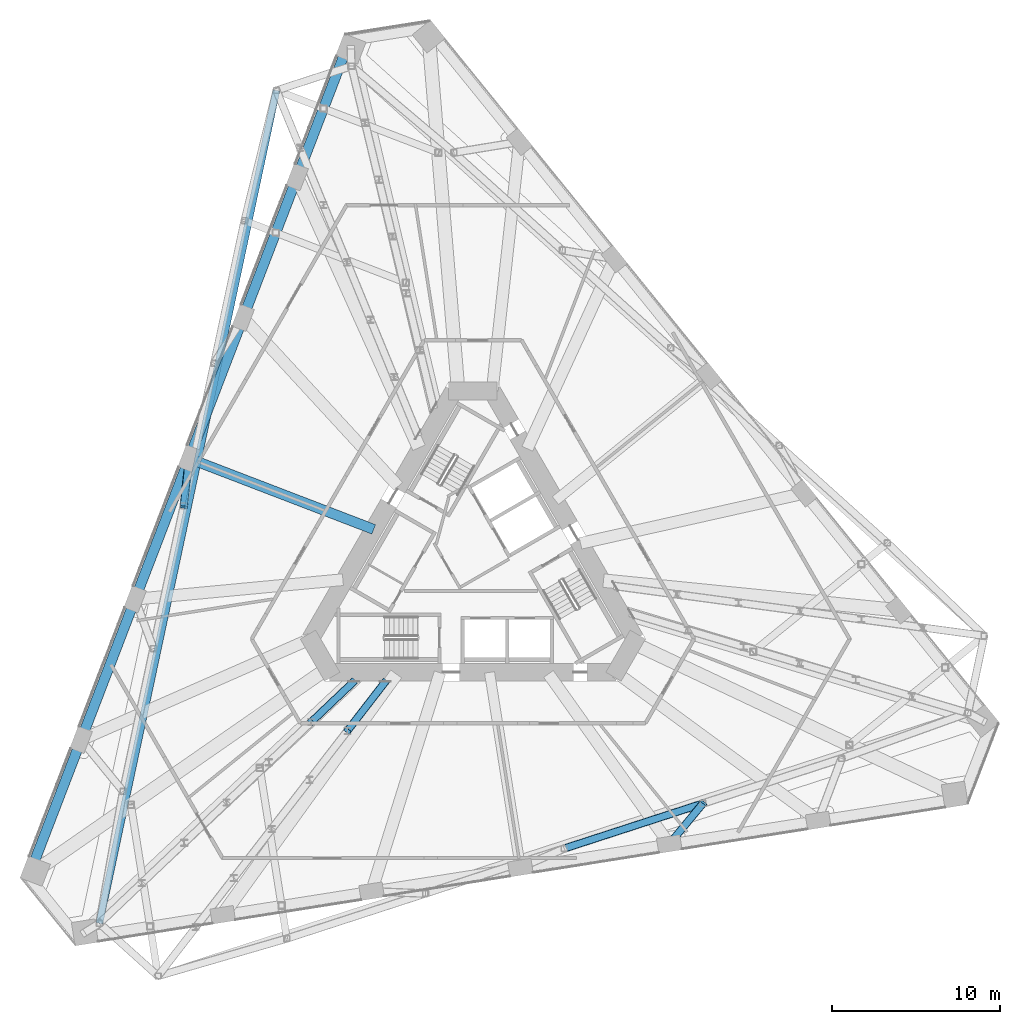
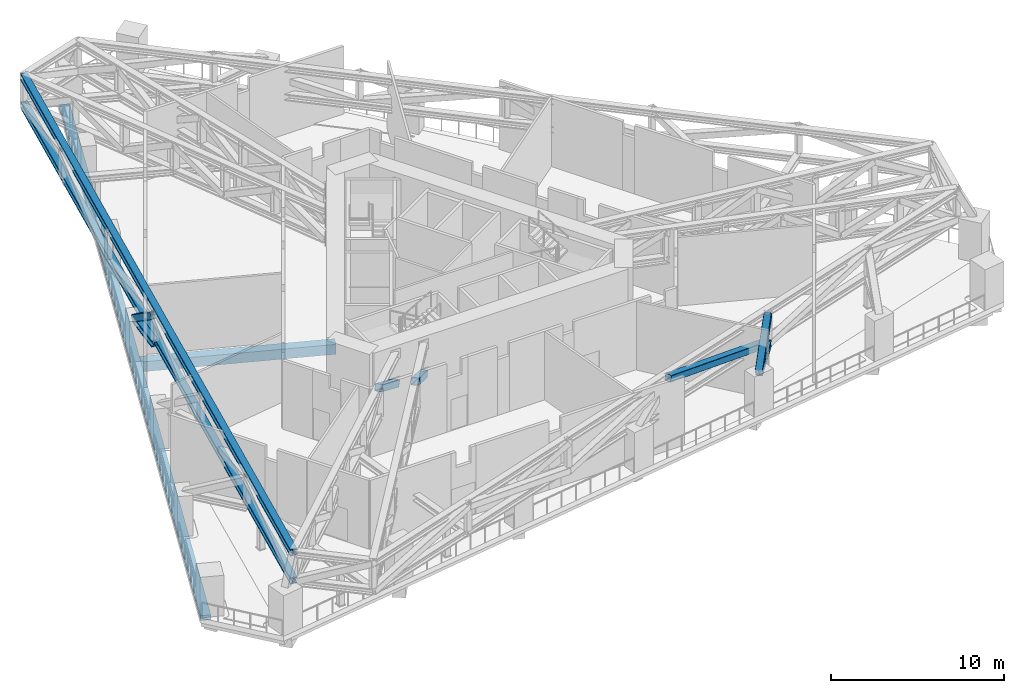
# One storey, part 5 of 20: 9 members, 2 beams.
"""IFC4 building model written with IfcOpenShell, lengths in metres."""

from ifc_helpers import new_model, si_unit, direction, frame, origin, origin_2d, place, context, subcontext, project, spatial, rectangle, hollow_rectangle, i_section, extrude, material, material_profile, profile_set, type_object, element, save


model = new_model("IFC4")

# Units and contexts
model_context = context("Model", 3, precision=1e-05, world=origin(), true_north=direction((0.0, 1.0)))
body_context = subcontext(model_context, "Body", "Model", "MODEL_VIEW")
ifc_project = project(units=[si_unit("LENGTHUNIT", "METRE"), si_unit("AREAUNIT", "SQUARE_METRE"), si_unit("VOLUMEUNIT", "CUBIC_METRE"), si_unit("PLANEANGLEUNIT", "RADIAN"), si_unit("MASSUNIT", "GRAM", prefix="KILO")], contexts=[model_context])

# Site, building, storey
site_placement = place(None, origin())
site = spatial("IfcSite", under=ifc_project, at=site_placement, CompositionType="ELEMENT")
building_placement = place(site_placement, origin())
building = spatial("IfcBuilding", under=site, at=building_placement, Name="Tramontana Tower", CompositionType="ELEMENT")
storey_placement = place(building_placement, frame((0.0, 0.0, 83.199951171875)))
storey = spatial("IfcBuildingStorey", under=building, at=storey_placement, Name="L18", CompositionType="ELEMENT", Elevation=83.199951171875)

# Members
ifc_material_1 = material(Name="Steel ASTM A500 Grade C", Category="steel")
ifc_material_profile_1 = material_profile(ifc_material_1, hollow_rectangle(XDim=0.457275390625, YDim=0.457275390625, WallThickness=0.017822265625, InnerFilletRadius=0.017822265625, OuterFilletRadius=0.035400390625, at=origin_2d()), Name="HSS18X18X3/4")
ifc_profile_set_1 = profile_set([ifc_material_profile_1], Name="Steel ASTM A500 Grade C")
member_type_1 = type_object("IfcMemberType", Name="Belt truss HSS18X18X3/4 brace", PredefinedType="BRACE", material=ifc_profile_set_1)
member_1_placement = place(storey_placement, frame((5.423095703125, -16.69091796875, 4.6181640625), z_axis=(0.926993477957, 0.30117602371, -0.223553337186), x_axis=(-0.308996192787, 0.951063274889, 0.0)))
element("IfcMember", 1, at=member_1_placement, inside=storey, type_object=member_type_1, Name="Belt truss diagonal S1.4", PredefinedType="BRACE", context=body_context, shape_type="SweptSolid", body=[
    extrude(hollow_rectangle(XDim=0.457275390625, YDim=0.457275390625, WallThickness=0.017822265625, InnerFilletRadius=0.017822265625, OuterFilletRadius=0.035400390625, at=origin_2d()), origin(), (0.0, 0.0, 1.0), 8.88525390625),
])
ifc_material_2 = material(Name="Steel ASTM A992 Grade 50", Category="steel")
ifc_material_profile_2 = material_profile(ifc_material_2, i_section(OverallWidth=0.42236328125, OverallDepth=0.463623046875, WebThickness=0.04443359375, FlangeThickness=0.072998046875, FilletRadius=0.014892578125, at=origin_2d()), Name="W14X398")
ifc_profile_set_2 = profile_set([ifc_material_profile_2], Name="Steel ASTM A992 Grade 50")
member_type_2 = type_object("IfcMemberType", Name="Belt truss W14X398 chord", PredefinedType="CHORD", material=ifc_profile_set_2)
for number, where, z_axis, x_axis, name in (
    (2, (-11.665771484375, 28.3251953125, 2.6318359375), (-0.207909690766, -0.978148025856, 0.0), (0.978148025856, -0.207909690766, 0.0), "Belt truss bottom chord S0"),
    (3, (-11.665771484375, 28.3251953125, 4.6181640625), (-0.207909690766, -0.978148025856, 0.0), (0.978148025856, -0.207909690766, 0.0), "Belt truss top chord S0"),
):
    element("IfcMember", number, at=place(storey_placement, frame(where, z_axis=z_axis, x_axis=x_axis)), inside=storey, type_object=member_type_2, Name=name, PredefinedType="CHORD", context=body_context, shape_type="SweptSolid", body=[
        extrude(i_section(OverallWidth=0.42236328125, OverallDepth=0.463623046875, WebThickness=0.04443359375, FlangeThickness=0.072998046875, FilletRadius=0.014892578125, at=origin_2d()), origin(), (0.0, 0.0, 1.0), 50.5615234375),
    ])

# Beams
ifc_material_3 = material(Name="Concrete 40 MPa", Category="concrete")
ifc_material_profile_3 = material_profile(ifc_material_3, rectangle(XDim=0.60009765625, YDim=0.35009765625, at=origin_2d()), Name="RC EDGE BEAM 600X350 40 MPa")
ifc_profile_set_3 = profile_set([ifc_material_profile_3], Name="Concrete 40 MPa")
beam_type_1 = type_object("IfcBeamType", Name="RC EDGE BEAM 600X350 40 MPa", PredefinedType="SPANDREL", material=ifc_profile_set_3)
beam_1_placement = place(storey_placement, frame((-7.48095703125, 30.878662109375, -0.52490234375), z_axis=(-0.358365819965, -0.933581243964, 0.0), x_axis=(0.933581243964, -0.358365819965, 0.0)))
element("IfcBeam", 4, at=beam_1_placement, inside=storey, type_object=beam_type_1, Name="Spandrel beam S0 L18", PredefinedType="SPANDREL", context=body_context, shape_type="SweptSolid", body=[
    extrude(rectangle(XDim=0.60009765625, YDim=0.35009765625, at=origin_2d()), origin(), (0.0, 0.0, 1.0), 52.293701171875),
])
ifc_material_4 = material(Name="Concrete 40 MPa", Category="concrete")
ifc_material_profile_4 = material_profile(ifc_material_4, rectangle(XDim=0.60009765625, YDim=0.699951171875, at=origin_2d()), Name="RC GIRDER 600X700 40 MPa")
ifc_profile_set_4 = profile_set([ifc_material_profile_4], Name="Concrete 40 MPa")
beam_type_2 = type_object("IfcBeamType", Name="RC GIRDER 600X700 40 MPa", PredefinedType="BEAM", material=ifc_profile_set_4)
beam_2_placement = place(storey_placement, frame((-16.85107421875, 6.468505859375, -0.699951171875), z_axis=(0.933580146246, -0.358368679624, 0.0), x_axis=(0.358368679624, 0.933580146246, 0.0)))
element("IfcBeam", 5, at=beam_2_placement, inside=storey, type_object=beam_type_2, Name="Radial girder C1F03 L18", PredefinedType="BEAM", context=body_context, shape_type="SweptSolid", body=[
    extrude(rectangle(XDim=0.60009765625, YDim=0.699951171875, at=origin_2d()), origin(), (0.0, 0.0, 1.0), 11.74072265625),
])

# Members
ifc_material_5 = material(Name="Steel ASTM A500 Grade C", Category="steel")
ifc_material_profile_5 = material_profile(ifc_material_5, hollow_rectangle(XDim=0.457275390625, YDim=0.457275390625, WallThickness=0.017822265625, InnerFilletRadius=0.017822265625, OuterFilletRadius=0.035400390625, at=origin_2d()), Name="HSS18X18X3/4")
ifc_profile_set_5 = profile_set([ifc_material_profile_5], Name="Steel ASTM A500 Grade C")
member_type_3 = type_object("IfcMemberType", Name="Transfer truss HSS18X18X3/4 brace", PredefinedType="BRACE", material=ifc_profile_set_5)
member_2_placement = place(storey_placement, frame((-16.85107421875, 6.468505859375, 2.6318359375), z_axis=(-0.091075580595, -0.814111362456, 0.573522386782), x_axis=(0.993800552022, -0.111177618254, 0.0)))
element("IfcMember", 6, at=member_2_placement, inside=storey, type_object=member_type_3, Name="Transfer truss strut C2F03 diagonal", PredefinedType="BRACE", context=body_context, shape_type="SweptSolid", body=[
    extrude(hollow_rectangle(XDim=0.457275390625, YDim=0.457275390625, WallThickness=0.017822265625, InnerFilletRadius=0.017822265625, OuterFilletRadius=0.035400390625, at=origin_2d()), origin(), (0.0, 0.0, 1.0), 3.46337890625),
])
member_3_placement = place(storey_placement, frame((11.662353515625, -16.427978515625, 2.6318359375), z_axis=(0.538483954145, 0.650577606988, 0.535521996201), x_axis=(-0.770350756996, 0.637620350362, 0.0)))
element("IfcMember", 7, at=member_3_placement, inside=storey, type_object=member_type_3, Name="Transfer truss strut C2F09 diagonal", PredefinedType="BRACE", context=body_context, shape_type="SweptSolid", body=[
    extrude(hollow_rectangle(XDim=0.457275390625, YDim=0.457275390625, WallThickness=0.017822265625, InnerFilletRadius=0.017822265625, OuterFilletRadius=0.035400390625, at=origin_2d()), origin(), (0.0, 0.0, 1.0), 3.709228515625),
])
member_4_placement = place(storey_placement, frame((-7.084228515625, -6.7900390625, 2.6318359375), z_axis=(-0.629206222681, -0.597761176133, 0.496770677121), x_axis=(0.688758706706, -0.72499065093, 0.0)))
element("IfcMember", 8, at=member_4_placement, inside=storey, type_object=member_type_3, Name="Transfer truss diagonal 1.1", PredefinedType="BRACE", context=body_context, shape_type="SweptSolid", body=[
    extrude(hollow_rectangle(XDim=0.457275390625, YDim=0.457275390625, WallThickness=0.017822265625, InnerFilletRadius=0.017822265625, OuterFilletRadius=0.035400390625, at=origin_2d()), origin(), (0.0, 0.0, 1.0), 3.99853515625),
])
member_5_placement = place(storey_placement, frame((-5.201171875, -6.7900390625, 2.6318359375), z_axis=(-0.537863322718, -0.69648425486, 0.474987082778), x_axis=(0.791465885209, -0.611213344546, 0.0)))
element("IfcMember", 9, at=member_5_placement, inside=storey, type_object=member_type_3, Name="Transfer truss diagonal 2.1", PredefinedType="BRACE", context=body_context, shape_type="SweptSolid", body=[
    extrude(hollow_rectangle(XDim=0.457275390625, YDim=0.457275390625, WallThickness=0.017822265625, InnerFilletRadius=0.017822265625, OuterFilletRadius=0.035400390625, at=origin_2d()), origin(), (0.0, 0.0, 1.0), 4.181884765625),
])
ifc_material_6 = material(Name="Steel ASTM A992 Grade 50", Category="steel")
ifc_material_profile_6 = material_profile(ifc_material_6, i_section(OverallWidth=0.42236328125, OverallDepth=0.463623046875, WebThickness=0.04443359375, FlangeThickness=0.072998046875, FilletRadius=0.014892578125, at=origin_2d()), Name="W14X398")
ifc_profile_set_6 = profile_set([ifc_material_profile_6], Name="Steel ASTM A992 Grade 50")
member_type_4 = type_object("IfcMemberType", Name="Transfer truss W14X398 strut", PredefinedType="STRUT", material=ifc_profile_set_6)
member_6_placement = place(storey_placement, frame((-16.85107421875, 6.468505859375, 2.6318359375), z_axis=(-0.111177618254, -0.993800552022, 0.0), x_axis=(0.993800552022, -0.111177618254, 0.0)))
element("IfcMember", 10, at=member_6_placement, inside=storey, type_object=member_type_4, Name="Transfer truss strut C2F03 bottom", PredefinedType="STRUT", context=body_context, shape_type="SweptSolid", body=[
    extrude(i_section(OverallWidth=0.42236328125, OverallDepth=0.463623046875, WebThickness=0.04443359375, FlangeThickness=0.072998046875, FilletRadius=0.014892578125, at=origin_2d()), origin(), (0.0, 0.0, 1.0), 2.837158203125),
])
member_7_placement = place(storey_placement, frame((11.662353515625, -16.427978515625, 2.6318359375), z_axis=(0.637620350362, 0.770350756996, 0.0), x_axis=(-0.770350756996, 0.637620350362, 0.0)))
element("IfcMember", 11, at=member_7_placement, inside=storey, type_object=member_type_4, Name="Transfer truss strut C2F09 bottom", PredefinedType="STRUT", context=body_context, shape_type="SweptSolid", body=[
    extrude(i_section(OverallWidth=0.42236328125, OverallDepth=0.463623046875, WebThickness=0.04443359375, FlangeThickness=0.072998046875, FilletRadius=0.014892578125, at=origin_2d()), origin(), (0.0, 0.0, 1.0), 3.132568359375),
])

save(model, "model.ifc")
